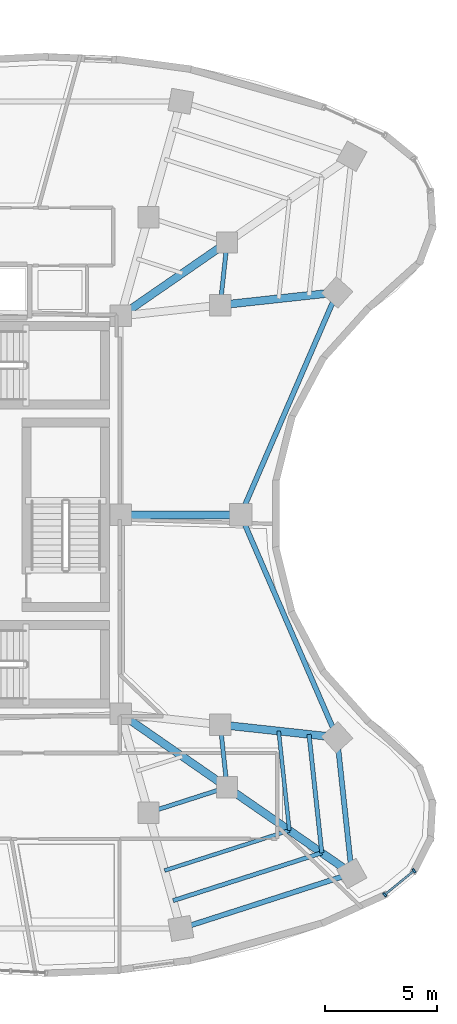
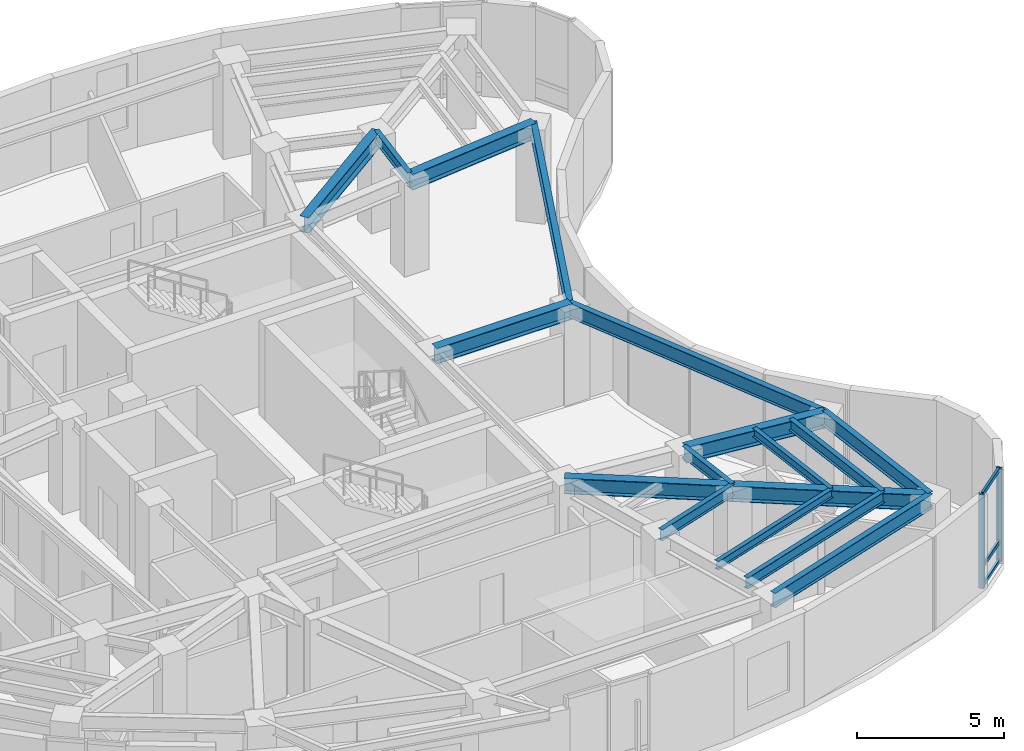
# One storey, part 4 of 13: 17 beams, 5 members, 1 element without a shape of its own.
"""IFC4 building model written with IfcOpenShell, lengths in metres."""

from ifc_helpers import new_model, si_unit, direction, frame, origin, origin_2d, place, context, subcontext, project, spatial, rectangle, i_section, extrude, material, layer, layer_set, material_profile, profile_set, type_object, element, aggregate, save


model = new_model("IFC4")

# Units and contexts
model_context = context("Model", 3, precision=1e-05, world=origin(), true_north=direction((0.0, 1.0)))
body_context = subcontext(model_context, "Body", "Model", "MODEL_VIEW")
ifc_project = project(units=[si_unit("LENGTHUNIT", "METRE"), si_unit("AREAUNIT", "SQUARE_METRE"), si_unit("VOLUMEUNIT", "CUBIC_METRE"), si_unit("PLANEANGLEUNIT", "RADIAN"), si_unit("MASSUNIT", "GRAM", prefix="KILO")], contexts=[model_context])

# Site, building, storey
site_placement = place(None, origin())
site = spatial("IfcSite", under=ifc_project, at=site_placement, CompositionType="ELEMENT")
building_placement = place(site_placement, origin())
building = spatial("IfcBuilding", under=site, at=building_placement, Name="Korentha Bioscience Tower", CompositionType="ELEMENT")
storey_placement = place(building_placement, frame((0.0, 0.0, 154.199951171875)))
storey = spatial("IfcBuildingStorey", under=building, at=storey_placement, Name="L35", CompositionType="ELEMENT", Elevation=154.199951171875)

# Beams
ifc_material_1 = material(Name="Steel S355", Category="steel")
ifc_material_profile_1 = material_profile(ifc_material_1, i_section(OverallWidth=0.18994140625, OverallDepth=0.45703125, WebThickness=0.009033203125, FlangeThickness=0.014404296875, at=origin_2d()), Name="Steel S355")
ifc_profile_set_1 = profile_set([ifc_material_profile_1], Name="Steel S355 (MB-460)")
beam_type_1 = type_object("IfcBeamType", Name="Mid-Ring Tie Girder W460x74", PredefinedType="BEAM", material=ifc_profile_set_1)
beam_1_placement = place(storey_placement, frame((38.77880859375, 13.7587890625, 3.671630859375), z_axis=(0.952000195343, 0.306097415976, 0.0), x_axis=(-0.306097415976, 0.952000195343, 0.0)))
element("IfcBeam", 1, at=beam_1_placement, inside=storey, type_object=beam_type_1, Name="L35 Mid-Ring Tie Girder 12", PredefinedType="BEAM", context=body_context, shape_type="SweptSolid", body=[
    extrude(i_section(OverallWidth=0.18994140625, OverallDepth=0.45703125, WebThickness=0.009033203125, FlangeThickness=0.014404296875, at=origin_2d()), origin(), (0.0, 0.0, 1.0), 3.672119140625),
])
for number, where, z_axis, x_axis, name in (
    (2, (42.274658203125, 14.8828125, 3.671630859375), (-0.107283940056, 0.99422842255, 0.0), (-0.99422842255, -0.107283940056, 0.0), "L35 Mid-Ring Tie Girder 13"),
    (3, (41.97412109375, 36.33203125, 3.671630859375), (0.107283940056, 0.99422842255, 0.0), (-0.99422842255, 0.107283940056, 0.0), "L35 Mid-Ring Tie Girder 16"),
):
    element("IfcBeam", number, at=place(storey_placement, frame(where, z_axis=z_axis, x_axis=x_axis)), inside=storey, type_object=beam_type_1, Name=name, PredefinedType="BEAM", context=body_context, shape_type="SweptSolid", body=[
        extrude(i_section(OverallWidth=0.18994140625, OverallDepth=0.45703125, WebThickness=0.009033203125, FlangeThickness=0.014404296875, at=origin_2d()), origin(), (0.0, 0.0, 1.0), 2.80126953125),
    ])

# Curtain wall, members
ifc_material_2 = material(Name="Thermally Broken Aluminium Frame", Category="aluminium")
ifc_layer = layer(ifc_material_2, 0.219970703125, Name="Thermally Broken Aluminium Frame")
ifc_layer_set = layer_set([ifc_layer], Name="Thermally Broken Aluminium Frame (CW-T1)")
curtain_wall_type = type_object("IfcCurtainWallType", Name="Standard Bioscience Lab Unitised Curtain Wall CW-T1", PredefinedType="USERDEFINED", material=ifc_layer_set)
curtain_wall_placement = place(storey_placement, origin())
curtain_wall = element("IfcCurtainWall", 4, at=curtain_wall_placement, inside=storey, type_object=curtain_wall_type, Name="L35 Curtain Wall 37", ObjectType="UNITISED", PredefinedType="USERDEFINED")
ifc_material_3 = material(Name="Anodised Aluminium 6063-T6", Category="aluminium")
ifc_material_profile_2 = material_profile(ifc_material_3, rectangle(XDim=0.090087890625, YDim=0.199951171875, at=origin_2d()), Name="Anodised Aluminium 6063-T6")
ifc_profile_set_2 = profile_set([ifc_material_profile_2], Name="Anodised Aluminium 6063-T6 (CW-MUL)")
member_type_1 = type_object("IfcMemberType", Name="Mullion RECT 90x200", PredefinedType="MULLION", material=ifc_profile_set_2)
member_1_placement = place(storey_placement, frame((49.28759765625, 10.105224609375, 0.0), z_axis=(0.0, 0.0, 1.0), x_axis=(0.77425646139, 0.632871971251, 0.0)))
member_1 = element("IfcMember", 5, at=member_1_placement, type_object=member_type_1, Name="CW-L35-37 Mullion 1", PredefinedType="MULLION", context=body_context, shape_type="SweptSolid", body=[
    extrude(rectangle(XDim=0.090087890625, YDim=0.199951171875, at=origin_2d()), origin(), (0.0, 0.0, 1.0), 3.900146484375),
])
member_2_placement = place(storey_placement, frame((50.58984375, 11.169677734375, 0.0), z_axis=(0.0, 0.0, 1.0), x_axis=(0.77425646139, 0.632871971251, 0.0)))
member_2 = element("IfcMember", 6, at=member_2_placement, type_object=member_type_1, Name="CW-L35-37 Mullion 2", PredefinedType="MULLION", context=body_context, shape_type="SweptSolid", body=[
    extrude(rectangle(XDim=0.090087890625, YDim=0.199951171875, at=origin_2d()), origin(), (0.0, 0.0, 1.0), 3.900146484375),
])

# Beams
ifc_material_profile_3 = material_profile(ifc_material_1, i_section(OverallWidth=0.22802734375, OverallDepth=0.60791015625, WebThickness=0.01123046875, FlangeThickness=0.017333984375, at=origin_2d()), Name="Steel S355")
ifc_profile_set_3 = profile_set([ifc_material_profile_3], Name="Steel S355 (SB-610)")
beam_type_2 = type_object("IfcBeamType", Name="Perimeter Ring Spandrel Girder W610x113", PredefinedType="SPANDREL", material=ifc_profile_set_3)
beam_2_placement = place(storey_placement, frame((40.22119140625, 8.60400390625, 3.595947265625), z_axis=(0.952008512555, 0.306071547228, 0.0), x_axis=(-0.306071547228, 0.952008512555, 0.0)))
element("IfcBeam", 7, at=beam_2_placement, inside=storey, type_object=beam_type_2, Name="L35 Perimeter Spandrel Girder 12", PredefinedType="SPANDREL", context=body_context, shape_type="SweptSolid", body=[
    extrude(i_section(OverallWidth=0.22802734375, OverallDepth=0.60791015625, WebThickness=0.01123046875, FlangeThickness=0.017333984375, at=origin_2d()), origin(), (0.0, 0.0, 1.0), 7.98291015625),
])
beam_3_placement = place(storey_placement, frame((47.821044921875, 11.04736328125, 3.595947265625), z_axis=(-0.10732012232, 0.994224517574, 0.0), x_axis=(-0.994224517574, -0.10732012232, 0.0)))
element("IfcBeam", 8, at=beam_3_placement, inside=storey, type_object=beam_type_2, Name="L35 Perimeter Spandrel Girder 13", PredefinedType="SPANDREL", context=body_context, shape_type="SweptSolid", body=[
    extrude(i_section(OverallWidth=0.22802734375, OverallDepth=0.60791015625, WebThickness=0.01123046875, FlangeThickness=0.017333984375, at=origin_2d()), origin(), (0.0, 0.0, 1.0), 6.08984375),
])
for number, where, z_axis, x_axis, name in (
    (9, (47.16748046875, 17.10205078125, 3.595947265625), (-0.397336815315, 0.917672847585, 0.0), (-0.917672847585, -0.397336815315, 0.0), "L35 Perimeter Spandrel Girder 14"),
    (10, (42.8818359375, 27.0, 3.595947265625), (0.397336815315, 0.917672847585, 0.0), (-0.917672847585, 0.397336815315, 0.0), "L35 Perimeter Spandrel Girder 15"),
):
    element("IfcBeam", number, at=place(storey_placement, frame(where, z_axis=z_axis, x_axis=x_axis)), inside=storey, type_object=beam_type_2, Name=name, PredefinedType="SPANDREL", context=body_context, shape_type="SweptSolid", body=[
        extrude(i_section(OverallWidth=0.22802734375, OverallDepth=0.60791015625, WebThickness=0.01123046875, FlangeThickness=0.017333984375, at=origin_2d()), origin(), (0.0, 0.0, 1.0), 10.785888671875),
    ])
ifc_material_profile_4 = material_profile(ifc_material_1, i_section(OverallWidth=0.18994140625, OverallDepth=0.45703125, WebThickness=0.009033203125, FlangeThickness=0.014404296875, at=origin_2d()), Name="Steel S355")
ifc_profile_set_4 = profile_set([ifc_material_profile_4], Name="Steel S355 (RB-460)")
beam_type_3 = type_object("IfcBeamType", Name="Radial Laboratory Beam W460x74", PredefinedType="BEAM", material=ifc_profile_set_4)
beam_4_placement = place(storey_placement, frame((39.875, 9.84130859375, 3.671630859375), z_axis=(0.952009183817, 0.306069459318, 0.0), x_axis=(-0.306069459318, 0.952009183817, 0.0)))
element("IfcBeam", 11, at=beam_4_placement, inside=storey, type_object=beam_type_3, Name="L35 Secondary Floor Beam JSTO-12", PredefinedType="BEAM", context=body_context, shape_type="SweptSolid", body=[
    extrude(i_section(OverallWidth=0.18994140625, OverallDepth=0.45703125, WebThickness=0.009033203125, FlangeThickness=0.014404296875, at=origin_2d()), origin(), (0.0, 0.0, 1.0), 6.948486328125),
])
beam_5_placement = place(storey_placement, frame((46.489990234375, 11.968017578125, 3.671630859375), z_axis=(-0.107321875607, 0.994224328316, 0.0), x_axis=(-0.994224328316, -0.107321875607, 0.0)))
element("IfcBeam", 12, at=beam_5_placement, inside=storey, type_object=beam_type_3, Name="L35 Secondary Floor Beam JSTO-13", PredefinedType="BEAM", context=body_context, shape_type="SweptSolid", body=[
    extrude(i_section(OverallWidth=0.18994140625, OverallDepth=0.45703125, WebThickness=0.009033203125, FlangeThickness=0.014404296875, at=origin_2d()), origin(), (0.0, 0.0, 1.0), 5.30029296875),
])
ifc_material_profile_5 = material_profile(ifc_material_1, i_section(OverallWidth=0.35009765625, OverallDepth=0.64990234375, WebThickness=0.01611328125, FlangeThickness=0.02490234375, at=origin_2d()), Name="Steel S355")
ifc_profile_set_5 = profile_set([ifc_material_profile_5], Name="Steel S355 (RB-650)")
beam_type_4 = type_object("IfcBeamType", Name="Radial Laboratory Girder CVS 650x208", PredefinedType="BEAM", material=ifc_profile_set_5)
for number, where, z_axis, x_axis, name in (
    (13, (37.550048828125, 35.85009765625, 3.574951171875), (0.822501145898, 0.568763452584, 0.0), (-0.568763452584, 0.822501145898, 0.0), "L35 Inner Radial Girder 01"),
    (14, (37.550048828125, 18.14990234375, 3.574951171875), (0.822501145898, -0.568763452584, 0.0), (0.568763452584, 0.822501145898, 0.0), "L35 Inner Radial Girder 13"),
):
    element("IfcBeam", number, at=place(storey_placement, frame(where, z_axis=z_axis, x_axis=x_axis)), inside=storey, type_object=beam_type_4, Name=name, PredefinedType="BEAM", context=body_context, shape_type="SweptSolid", body=[
        extrude(i_section(OverallWidth=0.35009765625, OverallDepth=0.64990234375, WebThickness=0.01611328125, FlangeThickness=0.02490234375, at=origin_2d()), origin(), (0.0, 0.0, 1.0), 5.744140625),
    ])
beam_6_placement = place(storey_placement, frame((42.274658203125, 14.8828125, 3.574951171875), z_axis=(0.822494455845, -0.568773127094, 0.0), x_axis=(0.568773127094, 0.822494455845, 0.0)))
element("IfcBeam", 15, at=beam_6_placement, inside=storey, type_object=beam_type_4, Name="L35 Outer Radial Girder 13", PredefinedType="BEAM", context=body_context, shape_type="SweptSolid", body=[
    extrude(i_section(OverallWidth=0.35009765625, OverallDepth=0.64990234375, WebThickness=0.01611328125, FlangeThickness=0.02490234375, at=origin_2d()), origin(), (0.0, 0.0, 1.0), 6.743408203125),
])
beam_7_placement = place(storey_placement, frame((41.97412109375, 17.66796875, 3.574951171875), z_axis=(0.994115177281, -0.108328271011, 0.0), x_axis=(0.108328271011, 0.994115177281, 0.0)))
element("IfcBeam", 16, at=beam_7_placement, inside=storey, type_object=beam_type_4, Name="L35 Outer Radial Girder 14", PredefinedType="BEAM", context=body_context, shape_type="SweptSolid", body=[
    extrude(i_section(OverallWidth=0.35009765625, OverallDepth=0.64990234375, WebThickness=0.01611328125, FlangeThickness=0.02490234375, at=origin_2d()), origin(), (0.0, 0.0, 1.0), 5.22412109375),
])
beam_8_placement = place(storey_placement, frame((37.550048828125, 27.0, 3.574951171875), z_axis=(1.0, 0.0, 0.0), x_axis=(0.0, 1.0, 0.0)))
element("IfcBeam", 17, at=beam_8_placement, inside=storey, type_object=beam_type_4, Name="L35 Radial Girder 15", PredefinedType="BEAM", context=body_context, shape_type="SweptSolid", body=[
    extrude(i_section(OverallWidth=0.35009765625, OverallDepth=0.64990234375, WebThickness=0.01611328125, FlangeThickness=0.02490234375, at=origin_2d()), origin(), (0.0, 0.0, 1.0), 5.331787109375),
])
beam_9_placement = place(storey_placement, frame((41.97412109375, 36.33203125, 3.574951171875), z_axis=(0.994115177281, 0.108328271011, 0.0), x_axis=(-0.108328271011, 0.994115177281, 0.0)))
element("IfcBeam", 18, at=beam_9_placement, inside=storey, type_object=beam_type_4, Name="L35 Outer Radial Girder 16", PredefinedType="BEAM", context=body_context, shape_type="SweptSolid", body=[
    extrude(i_section(OverallWidth=0.35009765625, OverallDepth=0.64990234375, WebThickness=0.01611328125, FlangeThickness=0.02490234375, at=origin_2d()), origin(), (0.0, 0.0, 1.0), 5.22412109375),
])
ifc_material_profile_6 = material_profile(ifc_material_1, i_section(OverallWidth=0.1708984375, OverallDepth=0.35498046875, WebThickness=0.007080078125, FlangeThickness=0.01171875, at=origin_2d()), Name="Steel S355")
ifc_profile_set_6 = profile_set([ifc_material_profile_6], Name="Steel S355 (JB-360)")
beam_type_5 = type_object("IfcBeamType", Name="Secondary Laboratory Joist W360x51", PredefinedType="JOIST", material=ifc_profile_set_6)
beam_10_placement = place(storey_placement, frame((39.5, 11.181396484375, 3.72265625), z_axis=(0.952005892166, 0.306079697596, 0.0), x_axis=(-0.306079697596, 0.952005892166, 0.0)))
element("IfcBeam", 19, at=beam_10_placement, inside=storey, type_object=beam_type_5, Name="L35 Secondary Floor Beam JST-12", PredefinedType="JOIST", context=body_context, shape_type="SweptSolid", body=[
    extrude(i_section(OverallWidth=0.1708984375, OverallDepth=0.35498046875, WebThickness=0.007080078125, FlangeThickness=0.01171875, at=origin_2d()), origin(), (0.0, 0.0, 1.0), 5.82763671875),
])
beam_11_placement = place(storey_placement, frame((45.0478515625, 12.965087890625, 3.72265625), z_axis=(-0.107308722475, 0.994225748048, 0.0), x_axis=(-0.994225748048, -0.107308722475, 0.0)))
element("IfcBeam", 20, at=beam_11_placement, inside=storey, type_object=beam_type_5, Name="L35 Secondary Floor Beam JST-13", PredefinedType="JOIST", context=body_context, shape_type="SweptSolid", body=[
    extrude(i_section(OverallWidth=0.1708984375, OverallDepth=0.35498046875, WebThickness=0.007080078125, FlangeThickness=0.01171875, at=origin_2d()), origin(), (0.0, 0.0, 1.0), 4.445556640625),
])

# Member
ifc_material_profile_7 = material_profile(ifc_material_3, rectangle(XDim=0.090087890625, YDim=0.159912109375, at=origin_2d()), Name="Anodised Aluminium 6063-T6")
ifc_profile_set_7 = profile_set([ifc_material_profile_7], Name="Anodised Aluminium 6063-T6 (CW-TRN)")
member_type_2 = type_object("IfcMemberType", Name="Transom RECT 90x160", PredefinedType="USERDEFINED", material=ifc_profile_set_7)
member_3_placement = place(storey_placement, frame((49.322509765625, 10.1337890625, 0.045166015625), z_axis=(0.77427156069, 0.632853498297, 0.0), x_axis=(-0.632853498297, 0.77427156069, 0.0)))
member_3 = element("IfcMember", 21, at=member_3_placement, type_object=member_type_2, Name="CW-L35-37 Bay 1 Transom 1", ObjectType="TRANSOM", PredefinedType="USERDEFINED", context=body_context, shape_type="SweptSolid", body=[
    extrude(rectangle(XDim=0.090087890625, YDim=0.159912109375, at=origin_2d()), origin(), (0.0, 0.0, 1.0), 1.591796875),
])

member_4_placement = place(storey_placement, frame((49.322509765625, 10.1337890625, 0.85009765625), z_axis=(0.77427156069, 0.632853498297, 0.0), x_axis=(-0.632853498297, 0.77427156069, 0.0)))
member_4 = element("IfcMember", 22, at=member_4_placement, type_object=member_type_2, Name="CW-L35-37 Bay 1 Transom 2", ObjectType="TRANSOM", PredefinedType="USERDEFINED", context=body_context, shape_type="SweptSolid", body=[
    extrude(rectangle(XDim=0.090087890625, YDim=0.159912109375, at=origin_2d()), origin(), (0.0, 0.0, 1.0), 1.591796875),
])

member_5_placement = place(storey_placement, frame((49.322509765625, 10.1337890625, 3.85498046875), z_axis=(0.77427156069, 0.632853498297, 0.0), x_axis=(-0.632853498297, 0.77427156069, 0.0)))
member_5 = element("IfcMember", 23, at=member_5_placement, type_object=member_type_2, Name="CW-L35-37 Bay 1 Transom 3", ObjectType="TRANSOM", PredefinedType="USERDEFINED", context=body_context, shape_type="SweptSolid", body=[
    extrude(rectangle(XDim=0.090087890625, YDim=0.159912109375, at=origin_2d()), origin(), (0.0, 0.0, 1.0), 1.591796875),
])

aggregate(curtain_wall, [member_1, member_2, member_3, member_4, member_5])

save(model, "model.ifc")
